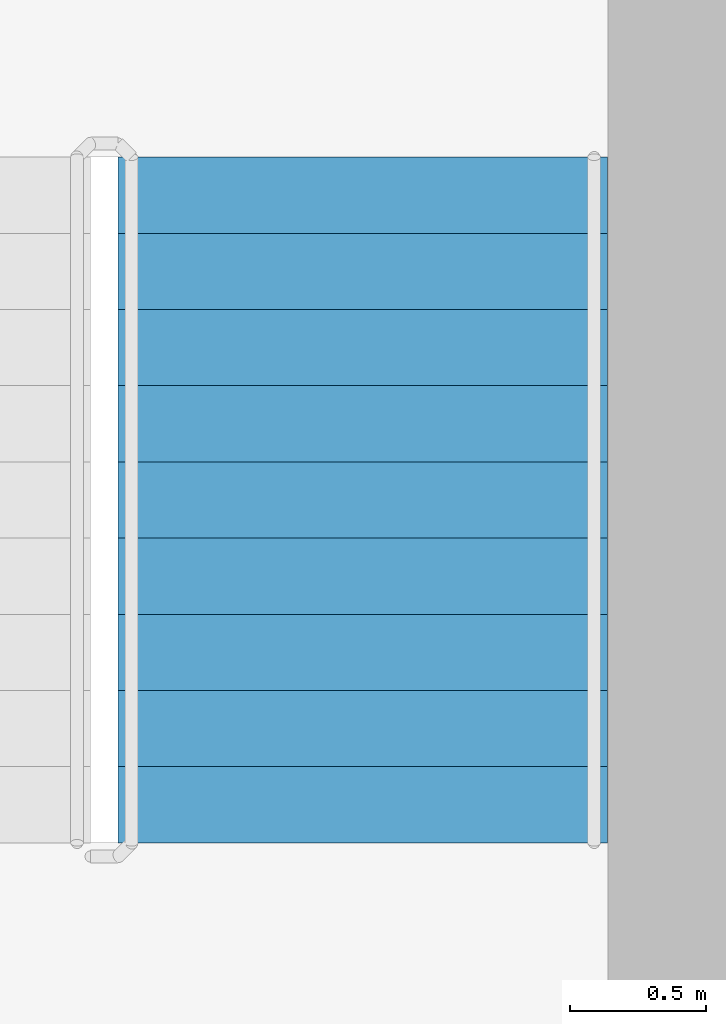
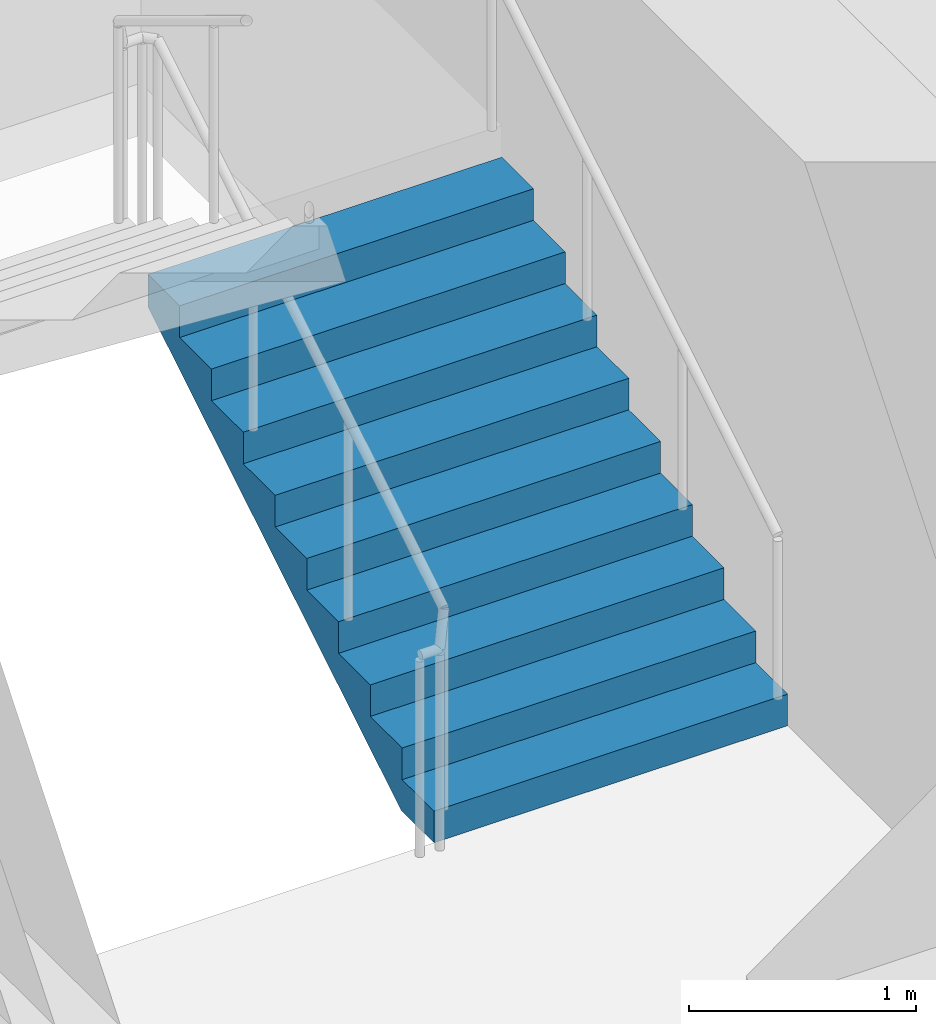
# One storey, part 11 of 20: 1 stair flight, 1 element without a shape of its own.
"""IFC4 building model written with IfcOpenShell, lengths in metres."""

from ifc_helpers import new_model, si_unit, direction, frame, origin, place, context, subcontext, project, spatial, triangles, source, transform, mapped, material, type_object, element, aggregate, save


model = new_model("IFC4")

# Units and contexts
model_context = context("Model", 3, precision=1e-05, world=origin(), true_north=direction((0.0, 1.0)))
body_context = subcontext(model_context, "Body", "Model", "MODEL_VIEW")
ifc_project = project(units=[si_unit("LENGTHUNIT", "METRE"), si_unit("AREAUNIT", "SQUARE_METRE"), si_unit("VOLUMEUNIT", "CUBIC_METRE"), si_unit("PLANEANGLEUNIT", "RADIAN"), si_unit("MASSUNIT", "GRAM", prefix="KILO")], contexts=[model_context])

# Site, building, storey
site_placement = place(None, origin())
site = spatial("IfcSite", under=ifc_project, at=site_placement, CompositionType="ELEMENT")
building_placement = place(site_placement, origin())
building = spatial("IfcBuilding", under=site, at=building_placement, Name="Kilnfold Tower and Market Hall", CompositionType="ELEMENT")
storey_placement = place(building_placement, frame((0.0, 0.0, 239.0)))
storey = spatial("IfcBuildingStorey", under=building, at=storey_placement, Name="L57", CompositionType="ELEMENT", Elevation=239.0)

# Stair, stair flight
ifc_material_1 = material(Name="Concrete C40/50", Category="concrete")
stair_type = type_object("IfcStairType", Name="CORE STAIR 1800", PredefinedType="HALF_TURN_STAIR", material=ifc_material_1)
stair_placement = place(storey_placement, origin())
stair = element("IfcStair", 1, at=stair_placement, inside=storey, type_object=stair_type, Name="L57 ST2", PredefinedType="HALF_TURN_STAIR")
ifc_material_2 = material(Name="Concrete C40/50", Category="concrete")
stair_flight_type = type_object("IfcStairFlightType", Name="CORE STAIR FLIGHT 1800", PredefinedType="STRAIGHT", material=ifc_material_2)
shared_shape = source(origin(), body_context, "Body", "Tessellation", [
    triangles([(0.0, 0.89990234375, 0.0), (0.0, 0.78759765625, 0.0), (0.0, 0.675048828125, 0.0), (0.0, 0.5625, 0.0), (0.0, 0.449951171875, 0.0), (0.0, 0.33740234375, 0.0), (0.0, 0.22509765625, 0.0), (0.0, 0.112548828125, 0.0), (0.0, 0.0, 0.0), (0.0, -0.112548828125, 0.0), (0.0, -0.22509765625, 0.0), (0.0, -0.33740234375, 0.0), (0.0, -0.449951171875, 0.0), (0.0, -0.5625, 0.0), (0.0, -0.675048828125, 0.0), (0.0, -0.78759765625, 0.0), (0.0, -0.89990234375, 0.0), (0.0, 0.89990234375, 0.169921875), (0.0, 0.78759765625, 0.169921875), (0.0, 0.675048828125, 0.169921875), (0.0, 0.5625, 0.169921875), (0.0, 0.449951171875, 0.169921875), (0.0, 0.33740234375, 0.169921875), (0.0, 0.22509765625, 0.169921875), (0.0, 0.112548828125, 0.169921875), (0.0, 0.0, 0.169921875), (0.0, -0.112548828125, 0.169921875), (0.0, -0.22509765625, 0.169921875), (0.0, -0.33740234375, 0.169921875), (0.0, -0.449951171875, 0.169921875), (0.0, -0.5625, 0.169921875), (0.0, -0.675048828125, 0.169921875), (0.0, -0.78759765625, 0.169921875), (0.0, -0.89990234375, 0.169921875), (0.280029296875, 0.89990234375, 0.169921875), (0.280029296875, 0.78759765625, 0.169921875), (0.280029296875, 0.675048828125, 0.169921875), (0.280029296875, 0.5625, 0.169921875), (0.280029296875, 0.449951171875, 0.169921875), (0.280029296875, 0.33740234375, 0.169921875), (0.280029296875, 0.22509765625, 0.169921875), (0.280029296875, 0.112548828125, 0.169921875), (0.280029296875, 0.0, 0.169921875), (0.280029296875, -0.112548828125, 0.169921875), (0.280029296875, -0.22509765625, 0.169921875), (0.280029296875, -0.33740234375, 0.169921875), (0.280029296875, -0.449951171875, 0.169921875), (0.280029296875, -0.5625, 0.169921875), (0.280029296875, -0.675048828125, 0.169921875), (0.280029296875, -0.78759765625, 0.169921875), (0.280029296875, -0.89990234375, 0.169921875), (0.280029296875, 0.89990234375, 0.340087890625), (0.280029296875, 0.78759765625, 0.340087890625), (0.280029296875, 0.675048828125, 0.340087890625), (0.280029296875, 0.5625, 0.340087890625), (0.280029296875, 0.449951171875, 0.340087890625), (0.280029296875, 0.33740234375, 0.340087890625), (0.280029296875, 0.22509765625, 0.340087890625), (0.280029296875, 0.112548828125, 0.340087890625), (0.280029296875, 0.0, 0.340087890625), (0.280029296875, -0.112548828125, 0.340087890625), (0.280029296875, -0.22509765625, 0.340087890625), (0.280029296875, -0.33740234375, 0.340087890625), (0.280029296875, -0.449951171875, 0.340087890625), (0.280029296875, -0.5625, 0.340087890625), (0.280029296875, -0.675048828125, 0.340087890625), (0.280029296875, -0.78759765625, 0.340087890625), (0.280029296875, -0.89990234375, 0.340087890625), (0.56005859375, 0.89990234375, 0.340087890625), (0.56005859375, 0.78759765625, 0.340087890625), (0.56005859375, 0.675048828125, 0.340087890625), (0.56005859375, 0.5625, 0.340087890625), (0.56005859375, 0.449951171875, 0.340087890625), (0.56005859375, 0.33740234375, 0.340087890625), (0.56005859375, 0.22509765625, 0.340087890625), (0.56005859375, 0.112548828125, 0.340087890625), (0.56005859375, 0.0, 0.340087890625), (0.56005859375, -0.112548828125, 0.340087890625), (0.56005859375, -0.22509765625, 0.340087890625), (0.56005859375, -0.33740234375, 0.340087890625), (0.56005859375, -0.449951171875, 0.340087890625), (0.56005859375, -0.5625, 0.340087890625), (0.56005859375, -0.675048828125, 0.340087890625), (0.56005859375, -0.78759765625, 0.340087890625), (0.56005859375, -0.89990234375, 0.340087890625), (0.56005859375, 0.89990234375, 0.510009765625), (0.56005859375, 0.78759765625, 0.510009765625), (0.56005859375, 0.675048828125, 0.510009765625), (0.56005859375, 0.5625, 0.510009765625), (0.56005859375, 0.449951171875, 0.510009765625), (0.56005859375, 0.33740234375, 0.510009765625), (0.56005859375, 0.22509765625, 0.510009765625), (0.56005859375, 0.112548828125, 0.510009765625), (0.56005859375, 0.0, 0.510009765625), (0.56005859375, -0.112548828125, 0.510009765625), (0.56005859375, -0.22509765625, 0.510009765625), (0.56005859375, -0.33740234375, 0.510009765625), (0.56005859375, -0.449951171875, 0.510009765625), (0.56005859375, -0.5625, 0.510009765625), (0.56005859375, -0.675048828125, 0.510009765625), (0.56005859375, -0.78759765625, 0.510009765625), (0.56005859375, -0.89990234375, 0.510009765625), (0.840087890625, 0.89990234375, 0.510009765625), (0.840087890625, 0.78759765625, 0.510009765625), (0.840087890625, 0.675048828125, 0.510009765625), (0.840087890625, 0.5625, 0.510009765625), (0.840087890625, 0.449951171875, 0.510009765625), (0.840087890625, 0.33740234375, 0.510009765625), (0.840087890625, 0.22509765625, 0.510009765625), (0.840087890625, 0.112548828125, 0.510009765625), (0.840087890625, 0.0, 0.510009765625), (0.840087890625, -0.112548828125, 0.510009765625), (0.840087890625, -0.22509765625, 0.510009765625), (0.840087890625, -0.33740234375, 0.510009765625), (0.840087890625, -0.449951171875, 0.510009765625), (0.840087890625, -0.5625, 0.510009765625), (0.840087890625, -0.675048828125, 0.510009765625), (0.840087890625, -0.78759765625, 0.510009765625), (0.840087890625, -0.89990234375, 0.510009765625), (0.840087890625, 0.89990234375, 0.679931640625), (0.840087890625, 0.78759765625, 0.679931640625), (0.840087890625, 0.675048828125, 0.679931640625), (0.840087890625, 0.5625, 0.679931640625), (0.840087890625, 0.449951171875, 0.679931640625), (0.840087890625, 0.33740234375, 0.679931640625), (0.840087890625, 0.22509765625, 0.679931640625), (0.840087890625, 0.112548828125, 0.679931640625), (0.840087890625, 0.0, 0.679931640625), (0.840087890625, -0.112548828125, 0.679931640625), (0.840087890625, -0.22509765625, 0.679931640625), (0.840087890625, -0.33740234375, 0.679931640625), (0.840087890625, -0.449951171875, 0.679931640625), (0.840087890625, -0.5625, 0.679931640625), (0.840087890625, -0.675048828125, 0.679931640625), (0.840087890625, -0.78759765625, 0.679931640625), (0.840087890625, -0.89990234375, 0.679931640625), (1.1201171875, 0.89990234375, 0.679931640625), (1.1201171875, 0.78759765625, 0.679931640625), (1.1201171875, 0.675048828125, 0.679931640625), (1.1201171875, 0.5625, 0.679931640625), (1.1201171875, 0.449951171875, 0.679931640625), (1.1201171875, 0.33740234375, 0.679931640625), (1.1201171875, 0.22509765625, 0.679931640625), (1.1201171875, 0.112548828125, 0.679931640625), (1.1201171875, 0.0, 0.679931640625), (1.1201171875, -0.112548828125, 0.679931640625), (1.1201171875, -0.22509765625, 0.679931640625), (1.1201171875, -0.33740234375, 0.679931640625), (1.1201171875, -0.449951171875, 0.679931640625), (1.1201171875, -0.5625, 0.679931640625), (1.1201171875, -0.675048828125, 0.679931640625), (1.1201171875, -0.78759765625, 0.679931640625), (1.1201171875, -0.89990234375, 0.679931640625), (1.1201171875, 0.89990234375, 0.85009765625), (1.1201171875, 0.78759765625, 0.85009765625), (1.1201171875, 0.675048828125, 0.85009765625), (1.1201171875, 0.5625, 0.85009765625), (1.1201171875, 0.449951171875, 0.85009765625), (1.1201171875, 0.33740234375, 0.85009765625), (1.1201171875, 0.22509765625, 0.85009765625), (1.1201171875, 0.112548828125, 0.85009765625), (1.1201171875, 0.0, 0.85009765625), (1.1201171875, -0.112548828125, 0.85009765625), (1.1201171875, -0.22509765625, 0.85009765625), (1.1201171875, -0.33740234375, 0.85009765625), (1.1201171875, -0.449951171875, 0.85009765625), (1.1201171875, -0.5625, 0.85009765625), (1.1201171875, -0.675048828125, 0.85009765625), (1.1201171875, -0.78759765625, 0.85009765625), (1.1201171875, -0.89990234375, 0.85009765625), (1.39990234375, 0.89990234375, 0.85009765625), (1.39990234375, 0.78759765625, 0.85009765625), (1.39990234375, 0.675048828125, 0.85009765625), (1.39990234375, 0.5625, 0.85009765625), (1.39990234375, 0.449951171875, 0.85009765625), (1.39990234375, 0.33740234375, 0.85009765625), (1.39990234375, 0.22509765625, 0.85009765625), (1.39990234375, 0.112548828125, 0.85009765625), (1.39990234375, 0.0, 0.85009765625), (1.39990234375, -0.112548828125, 0.85009765625), (1.39990234375, -0.22509765625, 0.85009765625), (1.39990234375, -0.33740234375, 0.85009765625), (1.39990234375, -0.449951171875, 0.85009765625), (1.39990234375, -0.5625, 0.85009765625), (1.39990234375, -0.675048828125, 0.85009765625), (1.39990234375, -0.78759765625, 0.85009765625), (1.39990234375, -0.89990234375, 0.85009765625), (1.39990234375, 0.89990234375, 1.02001953125), (1.39990234375, 0.78759765625, 1.02001953125), (1.39990234375, 0.675048828125, 1.02001953125), (1.39990234375, 0.5625, 1.02001953125), (1.39990234375, 0.449951171875, 1.02001953125), (1.39990234375, 0.33740234375, 1.02001953125), (1.39990234375, 0.22509765625, 1.02001953125), (1.39990234375, 0.112548828125, 1.02001953125), (1.39990234375, 0.0, 1.02001953125), (1.39990234375, -0.112548828125, 1.02001953125), (1.39990234375, -0.22509765625, 1.02001953125), (1.39990234375, -0.33740234375, 1.02001953125), (1.39990234375, -0.449951171875, 1.02001953125), (1.39990234375, -0.5625, 1.02001953125), (1.39990234375, -0.675048828125, 1.02001953125), (1.39990234375, -0.78759765625, 1.02001953125), (1.39990234375, -0.89990234375, 1.02001953125), (1.679931640625, 0.89990234375, 1.02001953125), (1.679931640625, 0.78759765625, 1.02001953125), (1.679931640625, 0.675048828125, 1.02001953125), (1.679931640625, 0.5625, 1.02001953125), (1.679931640625, 0.449951171875, 1.02001953125), (1.679931640625, 0.33740234375, 1.02001953125), (1.679931640625, 0.22509765625, 1.02001953125), (1.679931640625, 0.112548828125, 1.02001953125), (1.679931640625, 0.0, 1.02001953125), (1.679931640625, -0.112548828125, 1.02001953125), (1.679931640625, -0.22509765625, 1.02001953125), (1.679931640625, -0.33740234375, 1.02001953125), (1.679931640625, -0.449951171875, 1.02001953125), (1.679931640625, -0.5625, 1.02001953125), (1.679931640625, -0.675048828125, 1.02001953125), (1.679931640625, -0.78759765625, 1.02001953125), (1.679931640625, -0.89990234375, 1.02001953125), (1.679931640625, 0.89990234375, 1.18994140625), (1.679931640625, 0.78759765625, 1.18994140625), (1.679931640625, 0.675048828125, 1.18994140625), (1.679931640625, 0.5625, 1.18994140625), (1.679931640625, 0.449951171875, 1.18994140625), (1.679931640625, 0.33740234375, 1.18994140625), (1.679931640625, 0.22509765625, 1.18994140625), (1.679931640625, 0.112548828125, 1.18994140625), (1.679931640625, 0.0, 1.18994140625), (1.679931640625, -0.112548828125, 1.18994140625), (1.679931640625, -0.22509765625, 1.18994140625), (1.679931640625, -0.33740234375, 1.18994140625), (1.679931640625, -0.449951171875, 1.18994140625), (1.679931640625, -0.5625, 1.18994140625), (1.679931640625, -0.675048828125, 1.18994140625), (1.679931640625, -0.78759765625, 1.18994140625), (1.679931640625, -0.89990234375, 1.18994140625), (1.9599609375, 0.89990234375, 1.18994140625), (1.9599609375, 0.78759765625, 1.18994140625), (1.9599609375, 0.675048828125, 1.18994140625), (1.9599609375, 0.5625, 1.18994140625), (1.9599609375, 0.449951171875, 1.18994140625), (1.9599609375, 0.33740234375, 1.18994140625), (1.9599609375, 0.22509765625, 1.18994140625), (1.9599609375, 0.112548828125, 1.18994140625), (1.9599609375, 0.0, 1.18994140625), (1.9599609375, -0.112548828125, 1.18994140625), (1.9599609375, -0.22509765625, 1.18994140625), (1.9599609375, -0.33740234375, 1.18994140625), (1.9599609375, -0.449951171875, 1.18994140625), (1.9599609375, -0.5625, 1.18994140625), (1.9599609375, -0.675048828125, 1.18994140625), (1.9599609375, -0.78759765625, 1.18994140625), (1.9599609375, -0.89990234375, 1.18994140625), (1.9599609375, 0.89990234375, 1.360107421875), (1.9599609375, 0.78759765625, 1.360107421875), (1.9599609375, 0.675048828125, 1.360107421875), (1.9599609375, 0.5625, 1.360107421875), (1.9599609375, 0.449951171875, 1.360107421875), (1.9599609375, 0.33740234375, 1.360107421875), (1.9599609375, 0.22509765625, 1.360107421875), (1.9599609375, 0.112548828125, 1.360107421875), (1.9599609375, 0.0, 1.360107421875), (1.9599609375, -0.112548828125, 1.360107421875), (1.9599609375, -0.22509765625, 1.360107421875), (1.9599609375, -0.33740234375, 1.360107421875), (1.9599609375, -0.449951171875, 1.360107421875), (1.9599609375, -0.5625, 1.360107421875), (1.9599609375, -0.675048828125, 1.360107421875), (1.9599609375, -0.78759765625, 1.360107421875), (1.9599609375, -0.89990234375, 1.360107421875), (2.239990234375, 0.89990234375, 1.360107421875), (2.239990234375, 0.78759765625, 1.360107421875), (2.239990234375, 0.675048828125, 1.360107421875), (2.239990234375, 0.5625, 1.360107421875), (2.239990234375, 0.449951171875, 1.360107421875), (2.239990234375, 0.33740234375, 1.360107421875), (2.239990234375, 0.22509765625, 1.360107421875), (2.239990234375, 0.112548828125, 1.360107421875), (2.239990234375, 0.0, 1.360107421875), (2.239990234375, -0.112548828125, 1.360107421875), (2.239990234375, -0.22509765625, 1.360107421875), (2.239990234375, -0.33740234375, 1.360107421875), (2.239990234375, -0.449951171875, 1.360107421875), (2.239990234375, -0.5625, 1.360107421875), (2.239990234375, -0.675048828125, 1.360107421875), (2.239990234375, -0.78759765625, 1.360107421875), (2.239990234375, -0.89990234375, 1.360107421875), (2.239990234375, 0.89990234375, 1.530029296875), (2.239990234375, 0.78759765625, 1.530029296875), (2.239990234375, 0.675048828125, 1.530029296875), (2.239990234375, 0.5625, 1.530029296875), (2.239990234375, 0.449951171875, 1.530029296875), (2.239990234375, 0.33740234375, 1.530029296875), (2.239990234375, 0.22509765625, 1.530029296875), (2.239990234375, 0.112548828125, 1.530029296875), (2.239990234375, 0.0, 1.530029296875), (2.239990234375, -0.112548828125, 1.530029296875), (2.239990234375, -0.22509765625, 1.530029296875), (2.239990234375, -0.33740234375, 1.530029296875), (2.239990234375, -0.449951171875, 1.530029296875), (2.239990234375, -0.5625, 1.530029296875), (2.239990234375, -0.675048828125, 1.530029296875), (2.239990234375, -0.78759765625, 1.530029296875), (2.239990234375, -0.89990234375, 1.530029296875), (2.52001953125, 0.89990234375, 1.530029296875), (2.52001953125, 0.78759765625, 1.530029296875), (2.52001953125, 0.675048828125, 1.530029296875), (2.52001953125, 0.5625, 1.530029296875), (2.52001953125, 0.449951171875, 1.530029296875), (2.52001953125, 0.33740234375, 1.530029296875), (2.52001953125, 0.22509765625, 1.530029296875), (2.52001953125, 0.112548828125, 1.530029296875), (2.52001953125, 0.0, 1.530029296875), (2.52001953125, -0.112548828125, 1.530029296875), (2.52001953125, -0.22509765625, 1.530029296875), (2.52001953125, -0.33740234375, 1.530029296875), (2.52001953125, -0.449951171875, 1.530029296875), (2.52001953125, -0.5625, 1.530029296875), (2.52001953125, -0.675048828125, 1.530029296875), (2.52001953125, -0.78759765625, 1.530029296875), (2.52001953125, -0.89990234375, 1.530029296875), (2.52001953125, 0.89990234375, 1.354736328125), (2.52001953125, 0.78759765625, 1.354736328125), (2.52001953125, 0.675048828125, 1.354736328125), (2.52001953125, 0.5625, 1.354736328125), (2.52001953125, 0.449951171875, 1.354736328125), (2.52001953125, 0.33740234375, 1.354736328125), (2.52001953125, 0.22509765625, 1.354736328125), (2.52001953125, 0.112548828125, 1.354736328125), (2.52001953125, 0.0, 1.354736328125), (2.52001953125, -0.112548828125, 1.354736328125), (2.52001953125, -0.22509765625, 1.354736328125), (2.52001953125, -0.33740234375, 1.354736328125), (2.52001953125, -0.449951171875, 1.354736328125), (2.52001953125, -0.5625, 1.354736328125), (2.52001953125, -0.675048828125, 1.354736328125), (2.52001953125, -0.78759765625, 1.354736328125), (2.52001953125, -0.89990234375, 1.354736328125), (0.288818359375, 0.89990234375, 0.0), (0.288818359375, 0.78759765625, 0.0), (0.288818359375, 0.675048828125, 0.0), (0.288818359375, 0.5625, 0.0), (0.288818359375, 0.449951171875, 0.0), (0.288818359375, 0.33740234375, 0.0), (0.288818359375, 0.22509765625, 0.0), (0.288818359375, 0.112548828125, 0.0), (0.288818359375, 0.0, 0.0), (0.288818359375, -0.112548828125, 0.0), (0.288818359375, -0.22509765625, 0.0), (0.288818359375, -0.33740234375, 0.0), (0.288818359375, -0.449951171875, 0.0), (0.288818359375, -0.5625, 0.0), (0.288818359375, -0.675048828125, 0.0), (0.288818359375, -0.78759765625, 0.0), (0.288818359375, -0.89990234375, 0.0)], [[1, 324, 341], [17, 357, 340], [324, 290, 307], [340, 323, 306], [324, 273, 290], [340, 306, 289], [324, 256, 273], [340, 289, 272], [324, 239, 256], [340, 272, 255], [239, 205, 222], [255, 238, 221], [324, 205, 239], [340, 255, 221], [205, 171, 188], [221, 204, 187], [324, 171, 205], [340, 221, 187], [171, 137, 154], [187, 170, 153], [324, 137, 171], [340, 187, 153], [137, 103, 120], [153, 136, 119], [324, 103, 137], [340, 153, 119], [103, 69, 86], [119, 102, 85], [324, 69, 103], [340, 119, 85], [69, 35, 52], [85, 68, 51], [324, 35, 69], [340, 85, 51], [1, 35, 324], [17, 340, 51], [35, 1, 18], [51, 34, 17], [1, 19, 18], [1, 2, 19], [2, 20, 19], [2, 3, 20], [3, 21, 20], [3, 4, 21], [4, 22, 21], [4, 5, 22], [5, 23, 22], [5, 6, 23], [6, 24, 23], [6, 7, 24], [7, 25, 24], [7, 8, 25], [8, 26, 25], [8, 9, 26], [9, 27, 26], [9, 10, 27], [10, 28, 27], [10, 11, 28], [11, 29, 28], [11, 12, 29], [12, 30, 29], [12, 13, 30], [13, 31, 30], [13, 14, 31], [14, 32, 31], [14, 15, 32], [15, 33, 32], [15, 16, 33], [16, 34, 33], [16, 17, 34], [18, 36, 35], [18, 19, 36], [19, 37, 36], [19, 20, 37], [20, 38, 37], [20, 21, 38], [21, 39, 38], [21, 22, 39], [22, 40, 39], [22, 23, 40], [23, 41, 40], [23, 24, 41], [24, 42, 41], [24, 25, 42], [25, 43, 42], [25, 26, 43], [26, 44, 43], [26, 27, 44], [27, 45, 44], [27, 28, 45], [28, 46, 45], [28, 29, 46], [29, 47, 46], [29, 30, 47], [30, 48, 47], [30, 31, 48], [31, 49, 48], [31, 32, 49], [32, 50, 49], [32, 33, 50], [33, 51, 50], [33, 34, 51], [35, 53, 52], [35, 36, 53], [36, 54, 53], [36, 37, 54], [37, 55, 54], [37, 38, 55], [38, 56, 55], [38, 39, 56], [39, 57, 56], [39, 40, 57], [40, 58, 57], [40, 41, 58], [41, 59, 58], [41, 42, 59], [42, 60, 59], [42, 43, 60], [43, 61, 60], [43, 44, 61], [44, 62, 61], [44, 45, 62], [45, 63, 62], [45, 46, 63], [46, 64, 63], [46, 47, 64], [47, 65, 64], [47, 48, 65], [48, 66, 65], [48, 49, 66], [49, 67, 66], [49, 50, 67], [50, 68, 67], [50, 51, 68], [52, 70, 69], [52, 53, 70], [53, 71, 70], [53, 54, 71], [54, 72, 71], [54, 55, 72], [55, 73, 72], [55, 56, 73], [56, 74, 73], [56, 57, 74], [57, 75, 74], [57, 58, 75], [58, 76, 75], [58, 59, 76], [59, 77, 76], [59, 60, 77], [60, 78, 77], [60, 61, 78], [61, 79, 78], [61, 62, 79], [62, 80, 79], [62, 63, 80], [63, 81, 80], [63, 64, 81], [64, 82, 81], [64, 65, 82], [65, 83, 82], [65, 66, 83], [66, 84, 83], [66, 67, 84], [67, 85, 84], [67, 68, 85], [69, 87, 86], [69, 70, 87], [70, 88, 87], [70, 71, 88], [71, 89, 88], [71, 72, 89], [72, 90, 89], [72, 73, 90], [73, 91, 90], [73, 74, 91], [74, 92, 91], [74, 75, 92], [75, 93, 92], [75, 76, 93], [76, 94, 93], [76, 77, 94], [77, 95, 94], [77, 78, 95], [78, 96, 95], [78, 79, 96], [79, 97, 96], [79, 80, 97], [80, 98, 97], [80, 81, 98], [81, 99, 98], [81, 82, 99], [82, 100, 99], [82, 83, 100], [83, 101, 100], [83, 84, 101], [84, 102, 101], [84, 85, 102], [86, 104, 103], [86, 87, 104], [87, 105, 104], [87, 88, 105], [88, 106, 105], [88, 89, 106], [89, 107, 106], [89, 90, 107], [90, 108, 107], [90, 91, 108], [91, 109, 108], [91, 92, 109], [92, 110, 109], [92, 93, 110], [93, 111, 110], [93, 94, 111], [94, 112, 111], [94, 95, 112], [95, 113, 112], [95, 96, 113], [96, 114, 113], [96, 97, 114], [97, 115, 114], [97, 98, 115], [98, 116, 115], [98, 99, 116], [99, 117, 116], [99, 100, 117], [100, 118, 117], [100, 101, 118], [101, 119, 118], [101, 102, 119], [103, 121, 120], [103, 104, 121], [104, 122, 121], [104, 105, 122], [105, 123, 122], [105, 106, 123], [106, 124, 123], [106, 107, 124], [107, 125, 124], [107, 108, 125], [108, 126, 125], [108, 109, 126], [109, 127, 126], [109, 110, 127], [110, 128, 127], [110, 111, 128], [111, 129, 128], [111, 112, 129], [112, 130, 129], [112, 113, 130], [113, 131, 130], [113, 114, 131], [114, 132, 131], [114, 115, 132], [115, 133, 132], [115, 116, 133], [116, 134, 133], [116, 117, 134], [117, 135, 134], [117, 118, 135], [118, 136, 135], [118, 119, 136], [120, 138, 137], [120, 121, 138], [121, 139, 138], [121, 122, 139], [122, 140, 139], [122, 123, 140], [123, 141, 140], [123, 124, 141], [124, 142, 141], [124, 125, 142], [125, 143, 142], [125, 126, 143], [126, 144, 143], [126, 127, 144], [127, 145, 144], [127, 128, 145], [128, 146, 145], [128, 129, 146], [129, 147, 146], [129, 130, 147], [130, 148, 147], [130, 131, 148], [131, 149, 148], [131, 132, 149], [132, 150, 149], [132, 133, 150], [133, 151, 150], [133, 134, 151], [134, 152, 151], [134, 135, 152], [135, 153, 152], [135, 136, 153], [137, 155, 154], [137, 138, 155], [138, 156, 155], [138, 139, 156], [139, 157, 156], [139, 140, 157], [140, 158, 157], [140, 141, 158], [141, 159, 158], [141, 142, 159], [142, 160, 159], [142, 143, 160], [143, 161, 160], [143, 144, 161], [144, 162, 161], [144, 145, 162], [145, 163, 162], [145, 146, 163], [146, 164, 163], [146, 147, 164], [147, 165, 164], [147, 148, 165], [148, 166, 165], [148, 149, 166], [149, 167, 166], [149, 150, 167], [150, 168, 167], [150, 151, 168], [151, 169, 168], [151, 152, 169], [152, 170, 169], [152, 153, 170], [154, 172, 171], [154, 155, 172], [155, 173, 172], [155, 156, 173], [156, 174, 173], [156, 157, 174], [157, 175, 174], [157, 158, 175], [158, 176, 175], [158, 159, 176], [159, 177, 176], [159, 160, 177], [160, 178, 177], [160, 161, 178], [161, 179, 178], [161, 162, 179], [162, 180, 179], [162, 163, 180], [163, 181, 180], [163, 164, 181], [164, 182, 181], [164, 165, 182], [165, 183, 182], [165, 166, 183], [166, 184, 183], [166, 167, 184], [167, 185, 184], [167, 168, 185], [168, 186, 185], [168, 169, 186], [169, 187, 186], [169, 170, 187], [171, 189, 188], [171, 172, 189], [172, 190, 189], [172, 173, 190], [173, 191, 190], [173, 174, 191], [174, 192, 191], [174, 175, 192], [175, 193, 192], [175, 176, 193], [176, 194, 193], [176, 177, 194], [177, 195, 194], [177, 178, 195], [178, 196, 195], [178, 179, 196], [179, 197, 196], [179, 180, 197], [180, 198, 197], [180, 181, 198], [181, 199, 198], [181, 182, 199], [182, 200, 199], [182, 183, 200], [183, 201, 200], [183, 184, 201], [184, 202, 201], [184, 185, 202], [185, 203, 202], [185, 186, 203], [186, 204, 203], [186, 187, 204], [188, 206, 205], [188, 189, 206], [189, 207, 206], [189, 190, 207], [190, 208, 207], [190, 191, 208], [191, 209, 208], [191, 192, 209], [192, 210, 209], [192, 193, 210], [193, 211, 210], [193, 194, 211], [194, 212, 211], [194, 195, 212], [195, 213, 212], [195, 196, 213], [196, 214, 213], [196, 197, 214], [197, 215, 214], [197, 198, 215], [198, 216, 215], [198, 199, 216], [199, 217, 216], [199, 200, 217], [200, 218, 217], [200, 201, 218], [201, 219, 218], [201, 202, 219], [202, 220, 219], [202, 203, 220], [203, 221, 220], [203, 204, 221], [205, 223, 222], [205, 206, 223], [206, 224, 223], [206, 207, 224], [207, 225, 224], [207, 208, 225], [208, 226, 225], [208, 209, 226], [209, 227, 226], [209, 210, 227], [210, 228, 227], [210, 211, 228], [211, 229, 228], [211, 212, 229], [212, 230, 229], [212, 213, 230], [213, 231, 230], [213, 214, 231], [214, 232, 231], [214, 215, 232], [215, 233, 232], [215, 216, 233], [216, 234, 233], [216, 217, 234], [217, 235, 234], [217, 218, 235], [218, 236, 235], [218, 219, 236], [219, 237, 236], [219, 220, 237], [220, 238, 237], [220, 221, 238], [222, 240, 239], [222, 223, 240], [223, 241, 240], [223, 224, 241], [224, 242, 241], [224, 225, 242], [225, 243, 242], [225, 226, 243], [226, 244, 243], [226, 227, 244], [227, 245, 244], [227, 228, 245], [228, 246, 245], [228, 229, 246], [229, 247, 246], [229, 230, 247], [230, 248, 247], [230, 231, 248], [231, 249, 248], [231, 232, 249], [232, 250, 249], [232, 233, 250], [233, 251, 250], [233, 234, 251], [234, 252, 251], [234, 235, 252], [235, 253, 252], [235, 236, 253], [236, 254, 253], [236, 237, 254], [237, 255, 254], [237, 238, 255], [239, 257, 256], [239, 240, 257], [240, 258, 257], [240, 241, 258], [241, 259, 258], [241, 242, 259], [242, 260, 259], [242, 243, 260], [243, 261, 260], [243, 244, 261], [244, 262, 261], [244, 245, 262], [245, 263, 262], [245, 246, 263], [246, 264, 263], [246, 247, 264], [247, 265, 264], [247, 248, 265], [248, 266, 265], [248, 249, 266], [249, 267, 266], [249, 250, 267], [250, 268, 267], [250, 251, 268], [251, 269, 268], [251, 252, 269], [252, 270, 269], [252, 253, 270], [253, 271, 270], [253, 254, 271], [254, 272, 271], [254, 255, 272], [256, 274, 273], [256, 257, 274], [257, 275, 274], [257, 258, 275], [258, 276, 275], [258, 259, 276], [259, 277, 276], [259, 260, 277], [260, 278, 277], [260, 261, 278], [261, 279, 278], [261, 262, 279], [262, 280, 279], [262, 263, 280], [263, 281, 280], [263, 264, 281], [264, 282, 281], [264, 265, 282], [265, 283, 282], [265, 266, 283], [266, 284, 283], [266, 267, 284], [267, 285, 284], [267, 268, 285], [268, 286, 285], [268, 269, 286], [269, 287, 286], [269, 270, 287], [270, 288, 287], [270, 271, 288], [271, 289, 288], [271, 272, 289], [273, 291, 290], [273, 274, 291], [274, 292, 291], [274, 275, 292], [275, 293, 292], [275, 276, 293], [276, 294, 293], [276, 277, 294], [277, 295, 294], [277, 278, 295], [278, 296, 295], [278, 279, 296], [279, 297, 296], [279, 280, 297], [280, 298, 297], [280, 281, 298], [281, 299, 298], [281, 282, 299], [282, 300, 299], [282, 283, 300], [283, 301, 300], [283, 284, 301], [284, 302, 301], [284, 285, 302], [285, 303, 302], [285, 286, 303], [286, 304, 303], [286, 287, 304], [287, 305, 304], [287, 288, 305], [288, 306, 305], [288, 289, 306], [290, 308, 307], [290, 291, 308], [291, 309, 308], [291, 292, 309], [292, 310, 309], [292, 293, 310], [293, 311, 310], [293, 294, 311], [294, 312, 311], [294, 295, 312], [295, 313, 312], [295, 296, 313], [296, 314, 313], [296, 297, 314], [297, 315, 314], [297, 298, 315], [298, 316, 315], [298, 299, 316], [299, 317, 316], [299, 300, 317], [300, 318, 317], [300, 301, 318], [301, 319, 318], [301, 302, 319], [302, 320, 319], [302, 303, 320], [303, 321, 320], [303, 304, 321], [304, 322, 321], [304, 305, 322], [305, 323, 322], [305, 306, 323], [307, 325, 324], [307, 308, 325], [308, 326, 325], [308, 309, 326], [309, 327, 326], [309, 310, 327], [310, 328, 327], [310, 311, 328], [311, 329, 328], [311, 312, 329], [312, 330, 329], [312, 313, 330], [313, 331, 330], [313, 314, 331], [314, 332, 331], [314, 315, 332], [315, 333, 332], [315, 316, 333], [316, 334, 333], [316, 317, 334], [317, 335, 334], [317, 318, 335], [318, 336, 335], [318, 319, 336], [319, 337, 336], [319, 320, 337], [320, 338, 337], [320, 321, 338], [321, 339, 338], [321, 322, 339], [322, 340, 339], [322, 323, 340], [324, 342, 341], [324, 325, 342], [325, 343, 342], [325, 326, 343], [326, 344, 343], [326, 327, 344], [327, 345, 344], [327, 328, 345], [328, 346, 345], [328, 329, 346], [329, 347, 346], [329, 330, 347], [330, 348, 347], [330, 331, 348], [331, 349, 348], [331, 332, 349], [332, 350, 349], [332, 333, 350], [333, 351, 350], [333, 334, 351], [334, 352, 351], [334, 335, 352], [335, 353, 352], [335, 336, 353], [336, 354, 353], [336, 337, 354], [337, 355, 354], [337, 338, 355], [338, 356, 355], [338, 339, 356], [339, 357, 356], [339, 340, 357], [341, 2, 1], [341, 342, 2], [342, 3, 2], [342, 343, 3], [343, 4, 3], [343, 344, 4], [344, 5, 4], [344, 345, 5], [345, 6, 5], [345, 346, 6], [346, 7, 6], [346, 347, 7], [347, 8, 7], [347, 348, 8], [348, 9, 8], [348, 349, 9], [349, 10, 9], [349, 350, 10], [350, 11, 10], [350, 351, 11], [351, 12, 11], [351, 352, 12], [352, 13, 12], [352, 353, 13], [353, 14, 13], [353, 354, 14], [354, 15, 14], [354, 355, 15], [355, 16, 15], [355, 356, 16], [356, 17, 16], [356, 357, 17]], closed=True),
])
stair_flight_placement = place(storey_placement, frame((16.199951171875, 10.800048828125, 0.0), z_axis=(0.0, 0.0, 1.0), x_axis=(0.0, 1.0, 0.0)))
stair_flight = element("IfcStairFlight", 2, at=stair_flight_placement, type_object=stair_flight_type, Name="ST2 flight 1", NumberOfRisers=10, NumberOfTreads=9, PredefinedType="STRAIGHT", RiserHeight=0.17, TreadLength=0.28, context=body_context, shape_type="MappedRepresentation", body=[
    mapped(shared_shape, transform((0.0, 0.0, 0.0))),
])
aggregate(stair, [stair_flight])

save(model, "model.ifc")
